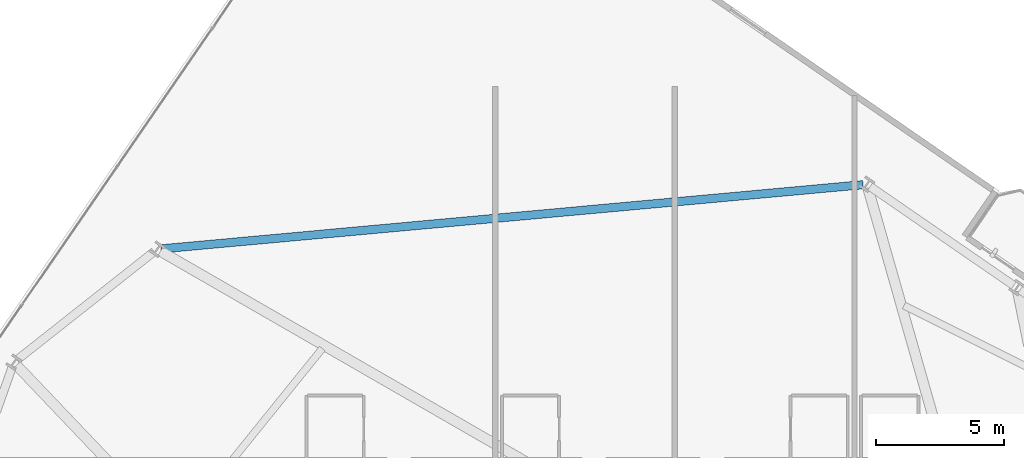
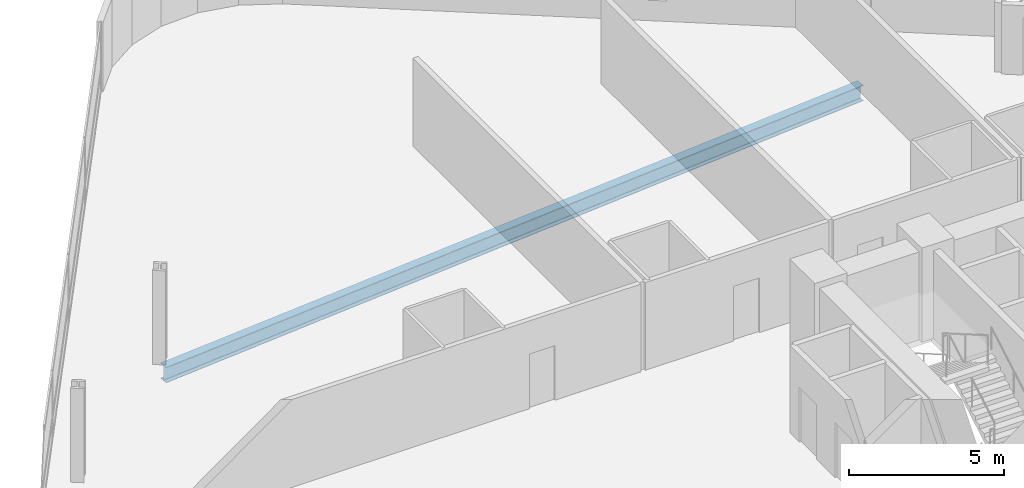
# One storey, part 16 of 27: 1 beam.
"""IFC4 building model written with IfcOpenShell, lengths in metres."""

import ifcopenshell
import ifcopenshell.guid

model = None  # the IFC model being written
_history = None  # IfcOwnerHistory: only IFC2X3 demands one
_inside = {}  # id of a spatial element -> (the spatial element, [elements in it])
_under = {}  # id of a project, library or spatial element -> (it, [spatial elements below it])
_declared = {}  # id of a project -> (the project, [libraries it declares])
_typed = {}  # id of a type object -> (the type object, [elements of that type])
_made_of = {}  # id of a material, layer set ... -> (it, [elements and type objects made of it])


def new_model(schema):
    """Start an empty IFC model of exactly this schema.

    Asked for "IFC4X3", IfcOpenShell would pick the latest addendum, in which some entities
    have other attributes; the version numbers below select the first issue.
    IFC2X3 requires an IfcOwnerHistory on every rooted entity: one is made here for all.
    """
    global model, _history
    if schema == "IFC4X3":
        model = ifcopenshell.file(schema_version=(4, 3, 0, 0))
    else:
        model = ifcopenshell.file(schema=schema)
    _inside.clear()
    _under.clear()
    _declared.clear()
    _typed.clear()
    _made_of.clear()
    _history = None
    if model.schema == "IFC2X3":
        org = make("IfcOrganization", Name="unknown")
        user = make(
            "IfcPersonAndOrganization",
            ThePerson=make("IfcPerson", FamilyName="unknown"),
            TheOrganization=org,
        )
        app = make(
            "IfcApplication",
            ApplicationDeveloper=org,
            Version="unknown",
            ApplicationFullName="unknown",
            ApplicationIdentifier="unknown",
        )
        _history = make(
            "IfcOwnerHistory",
            OwningUser=user,
            OwningApplication=app,
            ChangeAction="ADDED",
            CreationDate=0,
        )
    return model


def make(cls, **values):
    """One entity of the class cls with the attributes given. An attribute that is None is left unset."""
    return model.create_entity(
        cls, **{name: value for name, value in values.items() if value is not None}
    )


def rooted(cls, **values):
    """An entity with a GlobalId (a new one), such as an element, a storey or a relation."""
    return make(cls, GlobalId=ifcopenshell.guid.new(), OwnerHistory=_history, **values)


def si_unit(unit_type, name, prefix=None):
    """IfcSIUnit, for example si_unit("LENGTHUNIT", "METRE", prefix="MILLI")."""
    return make("IfcSIUnit", UnitType=unit_type, Prefix=prefix, Name=name)


def assignment(units):
    """IfcUnitAssignment: the units of a project."""
    return None if units is None else make("IfcUnitAssignment", Units=units)


def point(xyz):
    """IfcCartesianPoint."""
    return None if xyz is None else make("IfcCartesianPoint", Coordinates=xyz)


def direction(xyz):
    """IfcDirection."""
    return None if xyz is None else make("IfcDirection", DirectionRatios=xyz)


def frame(location, z_axis=None, x_axis=None):
    """IfcAxis2Placement3D, a coordinate frame: its origin and axes. An axis left out is left unset."""
    return make(
        "IfcAxis2Placement3D",
        Location=point(location),
        Axis=direction(z_axis),
        RefDirection=direction(x_axis),
    )


def frame_2d(location, x_axis=None):
    """IfcAxis2Placement2D, a coordinate frame in the plane: its origin and x axis."""
    return make(
        "IfcAxis2Placement2D", Location=point(location), RefDirection=direction(x_axis)
    )


def origin():
    """The frame at (0, 0, 0) with its axes left unset."""
    return frame((0.0, 0.0, 0.0))


def origin_2d():
    """The frame at (0, 0) in the plane with its x axis left unset."""
    return frame_2d((0.0, 0.0))


def place(relative_to, where):
    """IfcLocalPlacement: puts the frame where relative to a parent placement (None: the world)."""
    return make(
        "IfcLocalPlacement", PlacementRelTo=relative_to, RelativePlacement=where
    )


def context(
    kind, dimensions, precision=None, world=None, true_north=None, identifier=None
):
    """IfcGeometricRepresentationContext, for example the 3D "Model" context."""
    return make(
        "IfcGeometricRepresentationContext",
        ContextIdentifier=identifier,
        ContextType=kind,
        CoordinateSpaceDimension=dimensions,
        Precision=precision,
        WorldCoordinateSystem=world,
        TrueNorth=true_north,
    )


def subcontext(parent, identifier, kind, view, scale=None):
    """IfcGeometricRepresentationSubContext, for example "Body" below "Model"."""
    return make(
        "IfcGeometricRepresentationSubContext",
        ContextIdentifier=identifier,
        ContextType=kind,
        ParentContext=parent,
        TargetScale=scale,
        TargetView=view,
    )


def project(units=None, contexts=None):
    """IfcProject with its units and contexts."""
    return rooted(
        "IfcProject",
        Name="project",
        RepresentationContexts=contexts,
        UnitsInContext=assignment(units),
    )


def spatial(cls, under=None, at=None, **own):
    """A site, building, storey or space (cls), placed at a placement, below another one or the project."""
    s = rooted(cls, ObjectPlacement=at, **own)
    if under is not None:
        _under.setdefault(under.id(), (under, []))[1].append(s)
    return s


def profile(cls, at=None, kind="AREA", **sizes):
    """A parametric profile (cls). Its sizes go by their IFC names, for example OverallWidth=200.0."""
    return make(cls, ProfileType=kind, Position=at, **sizes)


def i_section(**sizes):
    """IfcIShapeProfileDef."""
    return profile("IfcIShapeProfileDef", **sizes)


def extrude(swept, where, along, depth):
    """IfcExtrudedAreaSolid: the profile swept, set in the frame where, extruded along a direction by depth."""
    return make(
        "IfcExtrudedAreaSolid",
        SweptArea=swept,
        Position=where,
        ExtrudedDirection=direction(along),
        Depth=depth,
    )


def shape(context_of_items, identifier, shape_type, items):
    """IfcShapeRepresentation: the items that make up one representation, for example the "Body"."""
    return make(
        "IfcShapeRepresentation",
        ContextOfItems=context_of_items,
        RepresentationIdentifier=identifier,
        RepresentationType=shape_type,
        Items=items,
    )


def material(Name=None, Category=None):
    """IfcMaterial."""
    return make("IfcMaterial", Name=Name, Category=Category)


def material_profile(
    of_material, cross_section, Name=None, Category=None, Priority=None
):
    """IfcMaterialProfile: a cross section and its material."""
    return make(
        "IfcMaterialProfile",
        Name=Name,
        Material=of_material,
        Profile=cross_section,
        Priority=Priority,
        Category=Category,
    )


def profile_set(profiles, Name=None, composite=None):
    """IfcMaterialProfileSet."""
    return make(
        "IfcMaterialProfileSet",
        Name=Name,
        MaterialProfiles=profiles,
        CompositeProfile=composite,
    )


def made_of(thing, what):
    """Note that an element or type object is made of a material, layer set ...; save() writes the relation."""
    if what is not None:
        _made_of.setdefault(what.id(), (what, []))[1].append(thing)
    return thing


def type_object(cls, material=None, **own):
    """A type object (cls), such as IfcWallType, which elements share."""
    return made_of(rooted(cls, **own), material)


def element(
    cls,
    number,
    at=None,
    inside=None,
    cuts=None,
    type_object=None,
    material=None,
    context=None,
    identifier="Body",
    shape_type=None,
    held_by="IfcProductDefinitionShape",
    body=None,
    shapes=None,
    **own,
):
    """One element of the class cls, such as IfcWall. Its Tag is "e" and its number.

    at: its placement. inside: the storey or other place that contains it. cuts: it is an
    opening in that element (IfcRelVoidsElement). A single representation is given by context,
    identifier, shape_type and body (its items); several are given by shapes. held_by: the class
    of the entity that holds the representations. save() writes the other relations.
    """
    e = rooted(cls, Tag="e%d" % number, ObjectPlacement=at, **own)
    if body is not None:
        shapes = [shape(context, identifier, shape_type, body)]
    if shapes is not None:
        e.Representation = make(held_by, Representations=shapes)
    if inside is not None:
        _inside.setdefault(inside.id(), (inside, []))[1].append(e)
    if cuts is not None:
        rooted(
            "IfcRelVoidsElement", RelatingBuildingElement=cuts, RelatedOpeningElement=e
        )
    if type_object is not None:
        _typed.setdefault(type_object.id(), (type_object, []))[1].append(e)
    return made_of(e, material)


def aggregate(whole, parts):
    """IfcRelAggregates: a whole, such as a stair, and the parts it consists of."""
    return rooted("IfcRelAggregates", RelatingObject=whole, RelatedObjects=parts)


def save(model, path):
    """Write the relations noted so far, then the file.

    IfcRelAggregates (storeys below a building ...), IfcRelContainedInSpatialStructure (elements
    in a storey), IfcRelDefinesByType, IfcRelAssociatesMaterial and IfcRelDeclares: one each for
    every whole, place, type object, material and project.
    """
    for whole, parts in _under.values():
        aggregate(whole, parts)
    for where, things in _inside.values():
        rooted(
            "IfcRelContainedInSpatialStructure",
            RelatedElements=things,
            RelatingStructure=where,
        )
    for kind, things in _typed.values():
        rooted("IfcRelDefinesByType", RelatedObjects=things, RelatingType=kind)
    for what, things in _made_of.values():
        rooted("IfcRelAssociatesMaterial", RelatedObjects=things, RelatingMaterial=what)
    for by, libraries in _declared.values():
        rooted("IfcRelDeclares", RelatingContext=by, RelatedDefinitions=libraries)
    model.write(path)


model = new_model("IFC4")

# Units and contexts
model_context = context("Model", 3, precision=1e-05, world=origin(), true_north=direction((0.0, 1.0)))
body_context = subcontext(model_context, "Body", "Model", "MODEL_VIEW")
ifc_project = project(units=[si_unit("LENGTHUNIT", "METRE"), si_unit("AREAUNIT", "SQUARE_METRE"), si_unit("VOLUMEUNIT", "CUBIC_METRE"), si_unit("PLANEANGLEUNIT", "RADIAN"), si_unit("MASSUNIT", "GRAM", prefix="KILO")], contexts=[model_context])

# Site, building, storey
site_placement = place(None, origin())
site = spatial("IfcSite", under=ifc_project, at=site_placement, CompositionType="ELEMENT")
building_placement = place(site_placement, origin())
building = spatial("IfcBuilding", under=site, at=building_placement, Name="Varnelok Gate Tower", CompositionType="ELEMENT")
storey_placement = place(building_placement, frame((0.0, 0.0, 30.699951171875)))
storey = spatial("IfcBuildingStorey", under=building, at=storey_placement, Name="L06", CompositionType="ELEMENT", Elevation=30.699951171875)

# Beam
ifc_material = material(Name="Structural Steel ASTM A992 Grade 50", Category="steel")
ifc_material_profile = material_profile(ifc_material, i_section(OverallWidth=0.323974609375, OverallDepth=0.611083984375, WebThickness=0.0126953125, FlangeThickness=0.01904296875, FilletRadius=0.01806640625, at=origin_2d()), Name="W24X104")
ifc_profile_set = profile_set([ifc_material_profile], Name="Structural Steel ASTM A992 Grade 50")
beam_type = type_object("IfcBeamType", Name="BM-SPN-W24X104", PredefinedType="SPANDREL", material=ifc_profile_set)
beam_placement = place(storey_placement, frame((39.8359375, 52.163818359375, -0.555419921875), z_axis=(-0.995845891963, -0.091054705864, 0.0), x_axis=(0.091054705864, -0.995845891963, 0.0)))
element("IfcBeam", 1, at=beam_placement, inside=storey, type_object=beam_type, Name="L06 Perimeter Spandrel Beam 13", PredefinedType="SPANDREL", context=body_context, shape_type="SweptSolid", body=[
    extrude(i_section(OverallWidth=0.323974609375, OverallDepth=0.611083984375, WebThickness=0.0126953125, FlangeThickness=0.01904296875, FilletRadius=0.01806640625, at=origin_2d()), origin(), (0.0, 0.0, 1.0), 27.485595703125),
])

save(model, "model.ifc")
